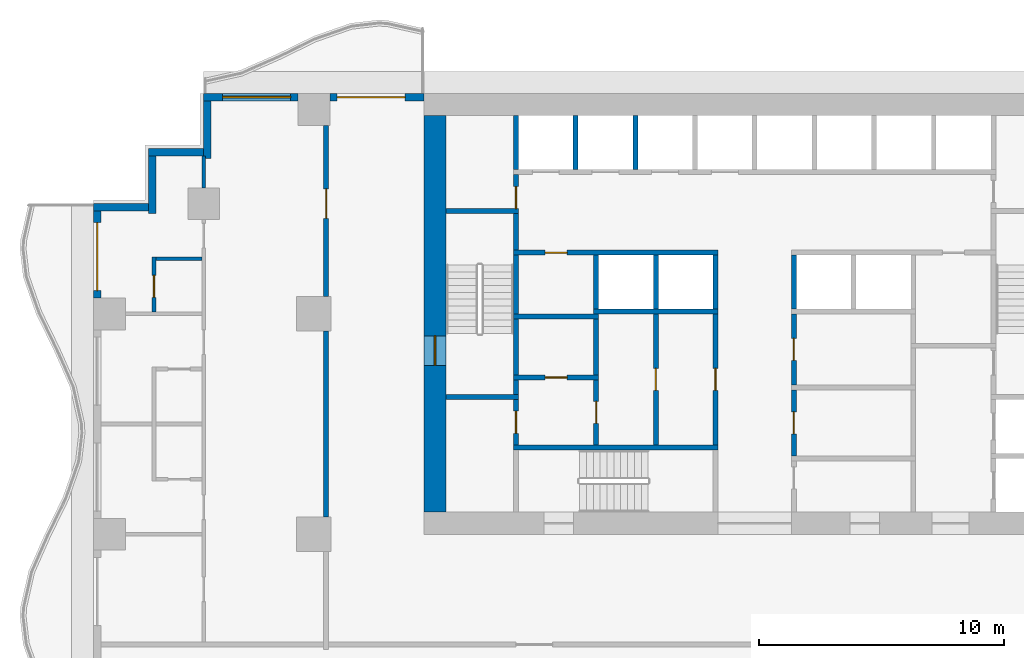
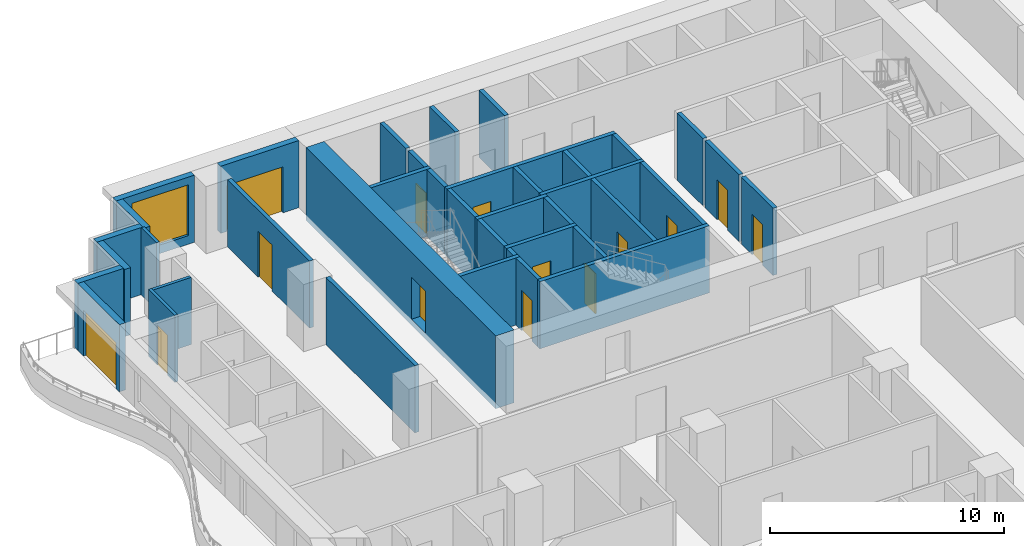
# One storey, part 5 of 14: 39 walls, 14 doors, 1 window, 15 openings.
"""IFC4 building model written with IfcOpenShell, lengths in metres."""

from ifc_helpers import new_model, si_unit, direction, frame, frame_2d, origin, place, context, subcontext, project, spatial, rectangle, extrude, material, layer, layer_set, type_object, element, fill, save


model = new_model("IFC4")

# Units and contexts
model_context = context("Model", 3, precision=1e-05, world=origin(), true_north=direction((0.0, 1.0)))
body_context = subcontext(model_context, "Body", "Model", "MODEL_VIEW")
ifc_project = project(units=[si_unit("LENGTHUNIT", "METRE"), si_unit("AREAUNIT", "SQUARE_METRE"), si_unit("VOLUMEUNIT", "CUBIC_METRE"), si_unit("PLANEANGLEUNIT", "RADIAN"), si_unit("MASSUNIT", "GRAM", prefix="KILO")], contexts=[model_context])

# Site, building, storey
site_placement = place(None, origin())
site = spatial("IfcSite", under=ifc_project, at=site_placement, CompositionType="ELEMENT")
building_placement = place(site_placement, origin())
building = spatial("IfcBuilding", under=site, at=building_placement, Name="Orbiselva Terraces", CompositionType="ELEMENT")
storey_placement = place(building_placement, frame((0.0, 0.0, 80.8)))
storey = spatial("IfcBuildingStorey", under=building, at=storey_placement, Name="L20", CompositionType="ELEMENT", Elevation=80.8)

# Wall, opening, door
ifc_material_1 = material(Name="Concrete C80/95", Category="concrete")
ifc_layer_1 = layer(ifc_material_1, 0.9)
ifc_layer_set_1 = layer_set([ifc_layer_1], Name="Concrete C80/95")
wall_type_1 = type_object("IfcWallType", Name="CORE WALL 900", PredefinedType="SHEAR", material=ifc_layer_set_1)
wall_1_placement = place(storey_placement, frame((-13.05, 21.6, -0.3), z_axis=(0.0, 0.0, 1.0), x_axis=(0.0, -1.0, 0.0)))
wall_1 = element("IfcWall", 1, at=wall_1_placement, inside=storey, type_object=wall_type_1, Name="Core wall L20 west", PredefinedType="SHEAR", context=body_context, shape_type="SweptSolid", body=[
    extrude(rectangle(XDim=16.2, YDim=0.9, at=frame_2d((8.1, 0.0))), origin(), (0.0, 0.0, 1.0), 3.8),
])
opening_1_placement = place(wall_1_placement, frame((9.0, 0.0, 0.3)))
opening_1 = element("IfcOpeningElement", 2, at=opening_1_placement, cuts=wall_1, Name="Opening DS1200", PredefinedType="OPENING", context=body_context, shape_type="SweptSolid", body=[
    extrude(rectangle(XDim=1.2, YDim=2.2, at=frame_2d((0.6, 1.1))), frame((0.0, 0.46, 0.0), z_axis=(0.0, -1.0, 0.0), x_axis=(1.0, 0.0, 0.0)), (0.0, 0.0, 1.0), 0.92),
])
ifc_material_2 = material(Name="Steel fire door", Category="steel")
door_type_1 = type_object("IfcDoorType", Name="STAIR DOOR 1200", OperationType="NOTDEFINED", PredefinedType="DOOR", material=ifc_material_2)
door_1_placement = place(opening_1_placement, frame((1.2, 0.0, 0.0), z_axis=(0.0, 0.0, 1.0), x_axis=(-1.0, 0.0, 0.0)))
door_1 = element("IfcDoor", 3, at=door_1_placement, inside=storey, type_object=door_type_1, Name="L20 EXIT STAIR S1 door", OperationType="SINGLE_SWING_RIGHT", OverallHeight=2.2, OverallWidth=1.2, PredefinedType="DOOR", context=body_context, shape_type="SweptSolid", body=[
    extrude(rectangle(XDim=1.2, YDim=2.2, at=frame_2d((0.6, 1.1))), frame((0.0, 0.025, 0.0), z_axis=(0.0, -1.0, 0.0), x_axis=(1.0, 0.0, 0.0)), (0.0, 0.0, 1.0), 0.05),
])
fill(opening_1, door_1)

ifc_material_3 = material(Name="Masonry blockwork", Category="masonry")
ifc_layer_2 = layer(ifc_material_3, 0.2)
ifc_layer_set_2 = layer_set([ifc_layer_2], Name="Masonry blockwork")
wall_type_2 = type_object("IfcWallType", Name="CORE-WALL-PARTITION-200", PredefinedType="PARTITIONING", material=ifc_layer_set_2)
wall_2_placement = place(storey_placement, frame((-9.75, 8.15, 0.0), z_axis=(0.0, 0.0, 1.0), x_axis=(0.0, 1.0, 0.0)))
wall_2 = element("IfcWall", 4, at=wall_2_placement, inside=storey, type_object=wall_type_2, Name="L20 core wall 05", PredefinedType="PARTITIONING", context=body_context, shape_type="SweptSolid", body=[
    extrude(rectangle(XDim=1.85, YDim=0.2, at=frame_2d((0.925, 0.0))), origin(), (0.0, 0.0, 1.0), 3.5),
])
opening_2_placement = place(wall_2_placement, frame((0.475, 0.0, 0.0)))
opening_2 = element("IfcOpeningElement", 5, at=opening_2_placement, cuts=wall_2, Name="Opening DR900", PredefinedType="OPENING", context=body_context, shape_type="SweptSolid", body=[
    extrude(rectangle(XDim=0.9, YDim=2.1, at=frame_2d((0.45, 1.05))), frame((0.0, 0.11, 0.0), z_axis=(0.0, -1.0, 0.0), x_axis=(1.0, 0.0, 0.0)), (0.0, 0.0, 1.0), 0.22),
])
door_type_2 = type_object("IfcDoorType", Name="ROOM DOOR 900", OperationType="NOTDEFINED", PredefinedType="DOOR", material=ifc_material_2)
door_2_placement = place(opening_2_placement, origin())
door_2 = element("IfcDoor", 6, at=door_2_placement, inside=storey, type_object=door_type_2, Name="L20 STAFF WC door", OperationType="SINGLE_SWING_RIGHT", OverallHeight=2.1, OverallWidth=0.9, PredefinedType="DOOR", context=body_context, shape_type="SweptSolid", body=[
    extrude(rectangle(XDim=0.9, YDim=2.1, at=frame_2d((0.45, 1.05))), frame((0.0, 0.025, 0.0), z_axis=(0.0, -1.0, 0.0), x_axis=(1.0, 0.0, 0.0)), (0.0, 0.0, 1.0), 0.05),
])
fill(opening_2, door_2)

wall_3_placement = place(storey_placement, frame((-9.75, 17.8, 0.0), z_axis=(0.0, 0.0, 1.0), x_axis=(0.0, 1.0, 0.0)))
wall_3 = element("IfcWall", 7, at=wall_3_placement, inside=storey, type_object=wall_type_2, Name="L20 core wall 13", PredefinedType="PARTITIONING", context=body_context, shape_type="SweptSolid", body=[
    extrude(rectangle(XDim=1.4, YDim=0.2, at=frame_2d((0.7, 0.0))), origin(), (0.0, 0.0, 1.0), 3.5),
])
opening_3_placement = place(wall_3_placement, origin())
opening_3 = element("IfcOpeningElement", 8, at=opening_3_placement, cuts=wall_3, Name="Opening DR900", PredefinedType="OPENING", context=body_context, shape_type="SweptSolid", body=[
    extrude(rectangle(XDim=0.9, YDim=2.1, at=frame_2d((0.45, 1.05))), frame((0.0, 0.11, 0.0), z_axis=(0.0, -1.0, 0.0), x_axis=(1.0, 0.0, 0.0)), (0.0, 0.0, 1.0), 0.22),
])
door_3_placement = place(opening_3_placement, origin())
door_3 = element("IfcDoor", 9, at=door_3_placement, inside=storey, type_object=door_type_2, Name="L20 ELECTRICAL RISER ROOM door", OperationType="SINGLE_SWING_LEFT", OverallHeight=2.1, OverallWidth=0.9, PredefinedType="DOOR", context=body_context, shape_type="SweptSolid", body=[
    extrude(rectangle(XDim=0.9, YDim=2.1, at=frame_2d((0.45, 1.05))), frame((0.0, 0.025, 0.0), z_axis=(0.0, -1.0, 0.0), x_axis=(1.0, 0.0, 0.0)), (0.0, 0.0, 1.0), 0.05),
])
fill(opening_3, door_3)

wall_4_placement = place(storey_placement, frame((-6.475, 8.15, 0.0), z_axis=(0.0, 0.0, 1.0), x_axis=(0.0, 1.0, 0.0)))
wall_4 = element("IfcWall", 10, at=wall_4_placement, inside=storey, type_object=wall_type_2, Name="L20 core wall 17", PredefinedType="PARTITIONING", context=body_context, shape_type="SweptSolid", body=[
    extrude(rectangle(XDim=2.65, YDim=0.2, at=frame_2d((1.325, 0.0))), origin(), (0.0, 0.0, 1.0), 3.5),
])
opening_4_placement = place(wall_4_placement, frame((0.875, 0.0, 0.0)))
opening_4 = element("IfcOpeningElement", 11, at=opening_4_placement, cuts=wall_4, Name="Opening DR900", PredefinedType="OPENING", context=body_context, shape_type="SweptSolid", body=[
    extrude(rectangle(XDim=0.9, YDim=2.1, at=frame_2d((0.45, 1.05))), frame((0.0, 0.11, 0.0), z_axis=(0.0, -1.0, 0.0), x_axis=(1.0, 0.0, 0.0)), (0.0, 0.0, 1.0), 0.22),
])
door_4_placement = place(opening_4_placement, origin())
door_4 = element("IfcDoor", 12, at=door_4_placement, inside=storey, type_object=door_type_2, Name="L20 UNIFORM STORE door", OperationType="SINGLE_SWING_LEFT", OverallHeight=2.1, OverallWidth=0.9, PredefinedType="DOOR", context=body_context, shape_type="SweptSolid", body=[
    extrude(rectangle(XDim=0.9, YDim=2.1, at=frame_2d((0.45, 1.05))), frame((0.0, 0.025, 0.0), z_axis=(0.0, -1.0, 0.0), x_axis=(1.0, 0.0, 0.0)), (0.0, 0.0, 1.0), 0.05),
])
fill(opening_4, door_4)

# Wall
wall_5_placement = place(storey_placement, frame((-6.475, 11.0, 0.0), z_axis=(0.0, 0.0, 1.0), x_axis=(0.0, 1.0, 0.0)))
element("IfcWall", 13, at=wall_5_placement, inside=storey, type_object=wall_type_2, Name="L20 core wall 18", PredefinedType="PARTITIONING", context=body_context, shape_type="SweptSolid", body=[
    extrude(rectangle(XDim=2.3, YDim=0.2, at=frame_2d((1.15, 0.0))), origin(), (0.0, 0.0, 1.0), 3.5),
])

# Wall, opening, door
wall_6_placement = place(storey_placement, frame((-4.0375, 8.15, 0.0), z_axis=(0.0, 0.0, 1.0), x_axis=(0.0, 1.0, 0.0)))
wall_6 = element("IfcWall", 14, at=wall_6_placement, inside=storey, type_object=wall_type_2, Name="L20 core wall 22", PredefinedType="PARTITIONING", context=body_context, shape_type="SweptSolid", body=[
    extrude(rectangle(XDim=5.35, YDim=0.2, at=frame_2d((2.675, 0.0))), origin(), (0.0, 0.0, 1.0), 3.5),
])
opening_5_placement = place(wall_6_placement, frame((2.225, 0.0, 0.0)))
opening_5 = element("IfcOpeningElement", 15, at=opening_5_placement, cuts=wall_6, Name="Opening DR900", PredefinedType="OPENING", context=body_context, shape_type="SweptSolid", body=[
    extrude(rectangle(XDim=0.9, YDim=2.1, at=frame_2d((0.45, 1.05))), frame((0.0, 0.11, 0.0), z_axis=(0.0, -1.0, 0.0), x_axis=(1.0, 0.0, 0.0)), (0.0, 0.0, 1.0), 0.22),
])
door_5_placement = place(opening_5_placement, origin())
door_5 = element("IfcDoor", 16, at=door_5_placement, inside=storey, type_object=door_type_2, Name="L20 BUILDING STORE door", OperationType="SINGLE_SWING_RIGHT", OverallHeight=2.1, OverallWidth=0.9, PredefinedType="DOOR", context=body_context, shape_type="SweptSolid", body=[
    extrude(rectangle(XDim=0.9, YDim=2.1, at=frame_2d((0.45, 1.05))), frame((0.0, 0.025, 0.0), z_axis=(0.0, -1.0, 0.0), x_axis=(1.0, 0.0, 0.0)), (0.0, 0.0, 1.0), 0.05),
])
fill(opening_5, door_5)

wall_7_placement = place(storey_placement, frame((1.6, 10.4, 0.0), z_axis=(0.0, 0.0, 1.0), x_axis=(0.0, -1.0, 0.0)))
wall_7 = element("IfcWall", 17, at=wall_7_placement, inside=storey, type_object=wall_type_2, Name="L20 core wall 31", PredefinedType="PARTITIONING", context=body_context, shape_type="SweptSolid", body=[
    extrude(rectangle(XDim=2.7, YDim=0.2, at=frame_2d((1.35, 0.0))), origin(), (0.0, 0.0, 1.0), 3.5),
])
opening_6_placement = place(wall_7_placement, frame((0.9, 0.0, 0.0)))
opening_6 = element("IfcOpeningElement", 18, at=opening_6_placement, cuts=wall_7, Name="Opening DR900", PredefinedType="OPENING", context=body_context, shape_type="SweptSolid", body=[
    extrude(rectangle(XDim=0.9, YDim=2.1, at=frame_2d((0.45, 1.05))), frame((0.0, 0.11, 0.0), z_axis=(0.0, -1.0, 0.0), x_axis=(1.0, 0.0, 0.0)), (0.0, 0.0, 1.0), 0.22),
])
door_6_placement = place(opening_6_placement, origin())
door_6 = element("IfcDoor", 19, at=door_6_placement, inside=storey, type_object=door_type_2, Name="L20 SERVICE PANTRY door", OperationType="SINGLE_SWING_LEFT", OverallHeight=2.1, OverallWidth=0.9, PredefinedType="DOOR", context=body_context, shape_type="SweptSolid", body=[
    extrude(rectangle(XDim=0.9, YDim=2.1, at=frame_2d((0.45, 1.05))), frame((0.0, 0.025, 0.0), z_axis=(0.0, -1.0, 0.0), x_axis=(1.0, 0.0, 0.0)), (0.0, 0.0, 1.0), 0.05),
])
fill(opening_6, door_6)

wall_8_placement = place(storey_placement, frame((1.6, 13.5, 0.0), z_axis=(0.0, 0.0, 1.0), x_axis=(0.0, -1.0, 0.0)))
wall_8 = element("IfcWall", 20, at=wall_8_placement, inside=storey, type_object=wall_type_2, Name="L20 core wall 33", PredefinedType="PARTITIONING", context=body_context, shape_type="SweptSolid", body=[
    extrude(rectangle(XDim=2.9, YDim=0.2, at=frame_2d((1.45, 0.0))), origin(), (0.0, 0.0, 1.0), 3.5),
])
opening_7_placement = place(wall_8_placement, frame((1.0, 0.0, 0.0)))
opening_7 = element("IfcOpeningElement", 21, at=opening_7_placement, cuts=wall_8, Name="Opening DR900", PredefinedType="OPENING", context=body_context, shape_type="SweptSolid", body=[
    extrude(rectangle(XDim=0.9, YDim=2.1, at=frame_2d((0.45, 1.05))), frame((0.0, 0.11, 0.0), z_axis=(0.0, -1.0, 0.0), x_axis=(1.0, 0.0, 0.0)), (0.0, 0.0, 1.0), 0.22),
])
door_7_placement = place(opening_7_placement, origin())
door_7 = element("IfcDoor", 22, at=door_7_placement, inside=storey, type_object=door_type_2, Name="L20 STAFF WC door", OperationType="SINGLE_SWING_LEFT", OverallHeight=2.1, OverallWidth=0.9, PredefinedType="DOOR", context=body_context, shape_type="SweptSolid", body=[
    extrude(rectangle(XDim=0.9, YDim=2.1, at=frame_2d((0.45, 1.05))), frame((0.0, 0.025, 0.0), z_axis=(0.0, -1.0, 0.0), x_axis=(1.0, 0.0, 0.0)), (0.0, 0.0, 1.0), 0.05),
])
fill(opening_7, door_7)

# Walls
ifc_material_4 = material(Name="Concrete C40/50", Category="concrete")
ifc_layer_3 = layer(ifc_material_4, 0.2)
ifc_layer_set_3 = layer_set([ifc_layer_3], Name="Concrete C40/50")
wall_type_3 = type_object("IfcWallType", Name="CORE-WALL-SHAFT-200", PredefinedType="PARTITIONING", material=ifc_layer_set_3)
for number, where, z_axis, x_axis, name in (
    (23, (-9.75, 19.4, 0.0), (0.0, 0.0, 1.0), (0.0, 1.0, 0.0), "L20 core wall 15"),
    (24, (-7.3125, 19.4, 0.0), (0.0, 0.0, 1.0), (0.0, 1.0, 0.0), "L20 core wall 16"),
    (25, (-6.475, 13.7, 0.0), (0.0, 0.0, 1.0), (0.0, 1.0, 0.0), "L20 core wall 20"),
    (26, (-4.875, 19.4, 0.0), (0.0, 0.0, 1.0), (0.0, 1.0, 0.0), "L20 core wall 21"),
    (27, (-4.0375, 13.7, 0.0), (0.0, 0.0, 1.0), (0.0, 1.0, 0.0), "L20 core wall 23"),
    (28, (-1.6, 13.7, 0.0), (0.0, 0.0, 1.0), (0.0, 1.0, 0.0), "L20 core wall 27"),
    (29, (1.6, 13.7, 0.0), (0.0, 0.0, 1.0), (0.0, 1.0, 0.0), "L20 core wall 35"),
):
    element("IfcWall", number, at=place(storey_placement, frame(where, z_axis=z_axis, x_axis=x_axis)), inside=storey, type_object=wall_type_3, Name=name, PredefinedType="PARTITIONING", context=body_context, shape_type="SweptSolid", body=[
        extrude(rectangle(XDim=2.2, YDim=0.2, at=frame_2d((1.1, 0.0))), origin(), (0.0, 0.0, 1.0), 3.5),
    ])
ifc_material_5 = material(Name="Concrete C60/75", Category="concrete")
ifc_layer_4 = layer(ifc_material_5, 0.2)
ifc_layer_set_4 = layer_set([ifc_layer_4], Name="Concrete C60/75")
wall_type_4 = type_object("IfcWallType", Name="CORE-WALL-SHEAR-200", PredefinedType="SHEAR", material=ifc_layer_set_4)
for number, where, z_axis, x_axis, name in (
    (30, (-12.6, 10.1, 0.0), (0.0, 0.0, 1.0), (1.0, 0.0, 0.0), "L20 core wall 01"),
    (31, (-12.6, 17.7, 0.0), (0.0, 0.0, 1.0), (1.0, 0.0, 0.0), "L20 core wall 02"),
):
    element("IfcWall", number, at=place(storey_placement, frame(where, z_axis=z_axis, x_axis=x_axis)), inside=storey, type_object=wall_type_4, Name=name, PredefinedType="SHEAR", context=body_context, shape_type="SweptSolid", body=[
        extrude(rectangle(XDim=2.95, YDim=0.2, at=frame_2d((1.475, 0.0))), origin(), (0.0, 0.0, 1.0), 3.5),
    ])
wall_9_placement = place(storey_placement, frame((-9.85, 8.05, 0.0), z_axis=(0.0, 0.0, 1.0), x_axis=(1.0, 0.0, 0.0)))
element("IfcWall", 32, at=wall_9_placement, inside=storey, type_object=wall_type_4, Name="L20 core wall 04", PredefinedType="SHEAR", context=body_context, shape_type="SweptSolid", body=[
    extrude(rectangle(XDim=8.35, YDim=0.2, at=frame_2d((4.175, 0.0))), origin(), (0.0, 0.0, 1.0), 3.5),
])
wall_10_placement = place(storey_placement, frame((-9.75, 10.2, 0.0), z_axis=(0.0, 0.0, 1.0), x_axis=(0.0, 1.0, 0.0)))
element("IfcWall", 33, at=wall_10_placement, inside=storey, type_object=wall_type_4, Name="L20 core wall 06", PredefinedType="SHEAR", context=body_context, shape_type="SweptSolid", body=[
    extrude(rectangle(XDim=0.6, YDim=0.2, at=frame_2d((0.3, 0.0))), origin(), (0.0, 0.0, 1.0), 3.5),
])

# Wall, opening, door
wall_11_placement = place(storey_placement, frame((-9.85, 10.9, 0.0), z_axis=(0.0, 0.0, 1.0), x_axis=(1.0, 0.0, 0.0)))
wall_11 = element("IfcWall", 34, at=wall_11_placement, inside=storey, type_object=wall_type_4, Name="L20 core wall 07", PredefinedType="SHEAR", context=body_context, shape_type="SweptSolid", body=[
    extrude(rectangle(XDim=3.475, YDim=0.2, at=frame_2d((1.7375, 0.0))), origin(), (0.0, 0.0, 1.0), 3.5),
])
opening_8_placement = place(wall_11_placement, frame((1.2875, 0.0, 0.0)))
opening_8 = element("IfcOpeningElement", 35, at=opening_8_placement, cuts=wall_11, Name="Opening DR900", PredefinedType="OPENING", context=body_context, shape_type="SweptSolid", body=[
    extrude(rectangle(XDim=0.9, YDim=2.1, at=frame_2d((0.45, 1.05))), frame((0.0, 0.11, 0.0), z_axis=(0.0, -1.0, 0.0), x_axis=(1.0, 0.0, 0.0)), (0.0, 0.0, 1.0), 0.22),
])
door_8_placement = place(opening_8_placement, origin())
door_8 = element("IfcDoor", 36, at=door_8_placement, inside=storey, type_object=door_type_2, Name="L20 LAUNDRY ROOM door", OperationType="SINGLE_SWING_RIGHT", OverallHeight=2.1, OverallWidth=0.9, PredefinedType="DOOR", context=body_context, shape_type="SweptSolid", body=[
    extrude(rectangle(XDim=0.9, YDim=2.1, at=frame_2d((0.45, 1.05))), frame((0.0, 0.025, 0.0), z_axis=(0.0, -1.0, 0.0), x_axis=(1.0, 0.0, 0.0)), (0.0, 0.0, 1.0), 0.05),
])
fill(opening_8, door_8)

# Walls
wall_12_placement = place(storey_placement, frame((-9.75, 11.0, 0.0), z_axis=(0.0, 0.0, 1.0), x_axis=(0.0, 1.0, 0.0)))
element("IfcWall", 37, at=wall_12_placement, inside=storey, type_object=wall_type_4, Name="L20 core wall 08", PredefinedType="SHEAR", context=body_context, shape_type="SweptSolid", body=[
    extrude(rectangle(XDim=2.3, YDim=0.2, at=frame_2d((1.15, 0.0))), origin(), (0.0, 0.0, 1.0), 3.5),
])
wall_13_placement = place(storey_placement, frame((-9.85, 13.4, 0.0), z_axis=(0.0, 0.0, 1.0), x_axis=(1.0, 0.0, 0.0)))
element("IfcWall", 38, at=wall_13_placement, inside=storey, type_object=wall_type_4, Name="L20 core wall 09", PredefinedType="SHEAR", context=body_context, shape_type="SweptSolid", body=[
    extrude(rectangle(XDim=3.475, YDim=0.2, at=frame_2d((1.7375, 0.0))), origin(), (0.0, 0.0, 1.0), 3.5),
])
wall_14_placement = place(storey_placement, frame((-9.75, 13.5, 0.0), z_axis=(0.0, 0.0, 1.0), x_axis=(0.0, 1.0, 0.0)))
element("IfcWall", 39, at=wall_14_placement, inside=storey, type_object=wall_type_4, Name="L20 core wall 10", PredefinedType="SHEAR", context=body_context, shape_type="SweptSolid", body=[
    extrude(rectangle(XDim=2.4, YDim=0.2, at=frame_2d((1.2, 0.0))), origin(), (0.0, 0.0, 1.0), 3.5),
])

# Wall, opening, door
wall_15_placement = place(storey_placement, frame((-1.5, 16.0, 0.0), z_axis=(0.0, 0.0, 1.0), x_axis=(-1.0, 0.0, 0.0)))
wall_15 = element("IfcWall", 40, at=wall_15_placement, inside=storey, type_object=wall_type_4, Name="L20 core wall 11", PredefinedType="SHEAR", context=body_context, shape_type="SweptSolid", body=[
    extrude(rectangle(XDim=8.35, YDim=0.2, at=frame_2d((4.175, 0.0))), origin(), (0.0, 0.0, 1.0), 3.5),
])
opening_9_placement = place(wall_15_placement, frame((6.1625, 0.0, 0.0)))
opening_9 = element("IfcOpeningElement", 41, at=opening_9_placement, cuts=wall_15, Name="Opening DR900", PredefinedType="OPENING", context=body_context, shape_type="SweptSolid", body=[
    extrude(rectangle(XDim=0.9, YDim=2.1, at=frame_2d((0.45, 1.05))), frame((0.0, 0.11, 0.0), z_axis=(0.0, -1.0, 0.0), x_axis=(1.0, 0.0, 0.0)), (0.0, 0.0, 1.0), 0.22),
])
door_9_placement = place(opening_9_placement, origin())
door_9 = element("IfcDoor", 42, at=door_9_placement, inside=storey, type_object=door_type_2, Name="L20 STAFF PANTRY door", OperationType="SINGLE_SWING_RIGHT", OverallHeight=2.1, OverallWidth=0.9, PredefinedType="DOOR", context=body_context, shape_type="SweptSolid", body=[
    extrude(rectangle(XDim=0.9, YDim=2.1, at=frame_2d((0.45, 1.05))), frame((0.0, 0.025, 0.0), z_axis=(0.0, -1.0, 0.0), x_axis=(1.0, 0.0, 0.0)), (0.0, 0.0, 1.0), 0.05),
])
fill(opening_9, door_9)

# Walls
wall_16_placement = place(storey_placement, frame((-9.75, 16.1, 0.0), z_axis=(0.0, 0.0, 1.0), x_axis=(0.0, 1.0, 0.0)))
element("IfcWall", 43, at=wall_16_placement, inside=storey, type_object=wall_type_4, Name="L20 core wall 12", PredefinedType="SHEAR", context=body_context, shape_type="SweptSolid", body=[
    extrude(rectangle(XDim=1.5, YDim=0.2, at=frame_2d((0.75, 0.0))), origin(), (0.0, 0.0, 1.0), 3.5),
])
wall_17_placement = place(storey_placement, frame((-6.575, 13.6, 0.0), z_axis=(0.0, 0.0, 1.0), x_axis=(1.0, 0.0, 0.0)))
element("IfcWall", 44, at=wall_17_placement, inside=storey, type_object=wall_type_4, Name="L20 core wall 19", PredefinedType="SHEAR", context=body_context, shape_type="SweptSolid", body=[
    extrude(rectangle(XDim=5.075, YDim=0.2, at=frame_2d((2.5375, 0.0))), origin(), (0.0, 0.0, 1.0), 3.5),
])

# Wall, opening, door
wall_18_placement = place(storey_placement, frame((-1.6, 8.15, 0.0), z_axis=(0.0, 0.0, 1.0), x_axis=(0.0, 1.0, 0.0)))
wall_18 = element("IfcWall", 45, at=wall_18_placement, inside=storey, type_object=wall_type_4, Name="L20 core wall 26", PredefinedType="SHEAR", context=body_context, shape_type="SweptSolid", body=[
    extrude(rectangle(XDim=5.35, YDim=0.2, at=frame_2d((2.675, 0.0))), origin(), (0.0, 0.0, 1.0), 3.5),
])
opening_10_placement = place(wall_18_placement, frame((2.225, 0.0, 0.0)))
opening_10 = element("IfcOpeningElement", 46, at=opening_10_placement, cuts=wall_18, Name="Opening DR900", PredefinedType="OPENING", context=body_context, shape_type="SweptSolid", body=[
    extrude(rectangle(XDim=0.9, YDim=2.1, at=frame_2d((0.45, 1.05))), frame((0.0, 0.11, 0.0), z_axis=(0.0, -1.0, 0.0), x_axis=(1.0, 0.0, 0.0)), (0.0, 0.0, 1.0), 0.22),
])
door_10_placement = place(opening_10_placement, origin())
door_10 = element("IfcDoor", 47, at=door_10_placement, inside=storey, type_object=door_type_2, Name="L20 GUEST PANTRY door", OperationType="SINGLE_SWING_RIGHT", OverallHeight=2.1, OverallWidth=0.9, PredefinedType="DOOR", context=body_context, shape_type="SweptSolid", body=[
    extrude(rectangle(XDim=0.9, YDim=2.1, at=frame_2d((0.45, 1.05))), frame((0.0, 0.025, 0.0), z_axis=(0.0, -1.0, 0.0), x_axis=(1.0, 0.0, 0.0)), (0.0, 0.0, 1.0), 0.05),
])
fill(opening_10, door_10)

ifc_material_6 = material(Name="Terracotta cladding on masonry backing", Category="masonry")
ifc_layer_5 = layer(ifc_material_6, 0.3)
ifc_layer_set_5 = layer_set([ifc_layer_5], Name="Terracotta cladding on masonry backing")
wall_type_5 = type_object("IfcWallType", Name="ENV-WALL-TERRACOTTA-300", PredefinedType="SOLIDWALL", material=ifc_layer_set_5)
wall_19_placement = place(storey_placement, frame((-17.35, 22.35, 0.0), z_axis=(0.0, 0.0, 1.0), x_axis=(1.0, 0.0, 0.0)))
wall_19 = element("IfcWall", 48, at=wall_19_placement, inside=storey, type_object=wall_type_5, Name="Facade wall L20 NW", PredefinedType="SOLIDWALL", context=body_context, shape_type="SweptSolid", body=[
    extrude(rectangle(XDim=3.85, YDim=0.3, at=frame_2d((1.925, 0.0))), origin(), (0.0, 0.0, 1.0), 3.5),
])
opening_11_placement = place(wall_19_placement, frame((0.3, 0.0, 0.0)))
opening_11 = element("IfcOpeningElement", 49, at=opening_11_placement, cuts=wall_19, Name="Opening Z2-B-E10", PredefinedType="OPENING", context=body_context, shape_type="SweptSolid", body=[
    extrude(rectangle(XDim=2.775, YDim=2.4, at=frame_2d((1.3875, 1.2))), frame((0.0, 0.16, 0.0), z_axis=(0.0, -1.0, 0.0), x_axis=(1.0, 0.0, 0.0)), (0.0, 0.0, 1.0), 0.32),
])
ifc_material_7 = material(Name="Clear low-e glazing in aluminium frame", Category="aluminium")
door_type_3 = type_object("IfcDoorType", Name="BALCONY DOOR 2775 X 2400", OperationType="DOUBLE_DOOR_SLIDING", PredefinedType="DOOR", material=ifc_material_7)
door_11_placement = place(opening_11_placement, origin())
door_11 = element("IfcDoor", 50, at=door_11_placement, inside=storey, type_object=door_type_3, Name="Z2-B-E10", OperationType="SINGLE_SWING_LEFT", OverallHeight=2.4, OverallWidth=2.775, PredefinedType="DOOR", context=body_context, shape_type="SweptSolid", body=[
    extrude(rectangle(XDim=2.775, YDim=2.4, at=frame_2d((1.3875, 1.2))), frame((0.0, 0.025, 0.0), z_axis=(0.0, -1.0, 0.0), x_axis=(1.0, 0.0, 0.0)), (0.0, 0.0, 1.0), 0.05),
])
fill(opening_11, door_11)

# Wall, opening, window
wall_20_placement = place(storey_placement, frame((-22.5, 22.35, 0.0), z_axis=(0.0, 0.0, 1.0), x_axis=(1.0, 0.0, 0.0)))
wall_20 = element("IfcWall", 51, at=wall_20_placement, inside=storey, type_object=wall_type_5, Name="Facade wall L20 NW", PredefinedType="SOLIDWALL", context=body_context, shape_type="SweptSolid", body=[
    extrude(rectangle(XDim=3.85, YDim=0.3, at=frame_2d((1.925, 0.0))), origin(), (0.0, 0.0, 1.0), 3.5),
])
opening_12_placement = place(wall_20_placement, frame((0.775, 0.0, 0.45)))
opening_12 = element("IfcOpeningElement", 52, at=opening_12_placement, cuts=wall_20, Name="Opening WN6", PredefinedType="OPENING", context=body_context, shape_type="SweptSolid", body=[
    extrude(rectangle(XDim=2.775, YDim=2.65, at=frame_2d((1.3875, 1.325))), frame((0.0, 0.16, 0.0), z_axis=(0.0, -1.0, 0.0), x_axis=(1.0, 0.0, 0.0)), (0.0, 0.0, 1.0), 0.32),
])
window_type = type_object("IfcWindowType", Name="WINDOW 2775 X 2650 S450", PartitioningType="TRIPLE_PANEL_VERTICAL", PredefinedType="WINDOW", material=ifc_material_7)
window_placement = place(opening_12_placement, origin())
window = element("IfcWindow", 53, at=window_placement, inside=storey, type_object=window_type, Name="Window L20 NW", OverallHeight=2.65, OverallWidth=2.775, PartitioningType="SINGLE_PANEL", PredefinedType="WINDOW", context=body_context, shape_type="SweptSolid", body=[
    extrude(rectangle(XDim=2.775, YDim=2.65, at=frame_2d((1.3875, 1.325))), frame((0.0, 0.03, 0.0), z_axis=(0.0, -1.0, 0.0), x_axis=(1.0, 0.0, 0.0)), (0.0, 0.0, 1.0), 0.06),
])
fill(opening_12, window)

# Walls
wall_21_placement = place(storey_placement, frame((-22.35, 19.85, 0.0), z_axis=(0.0, 0.0, 1.0), x_axis=(0.0, 1.0, 0.0)))
element("IfcWall", 54, at=wall_21_placement, inside=storey, type_object=wall_type_5, Name="Facade wall L20 STEP", PredefinedType="SOLIDWALL", context=body_context, shape_type="SweptSolid", body=[
    extrude(rectangle(XDim=2.35, YDim=0.3, at=frame_2d((1.175, 0.0))), origin(), (0.0, 0.0, 1.0), 3.5),
])
wall_22_placement = place(storey_placement, frame((-24.75, 20.1, 0.0), z_axis=(0.0, 0.0, 1.0), x_axis=(1.0, 0.0, 0.0)))
element("IfcWall", 55, at=wall_22_placement, inside=storey, type_object=wall_type_5, Name="Facade wall L20 STEP", PredefinedType="SOLIDWALL", context=body_context, shape_type="SweptSolid", body=[
    extrude(rectangle(XDim=2.25, YDim=0.3, at=frame_2d((1.125, 0.0))), origin(), (0.0, 0.0, 1.0), 3.5),
])
wall_23_placement = place(storey_placement, frame((-24.6, 17.6, 0.0), z_axis=(0.0, 0.0, 1.0), x_axis=(0.0, 1.0, 0.0)))
element("IfcWall", 56, at=wall_23_placement, inside=storey, type_object=wall_type_5, Name="Facade wall L20 STEP", PredefinedType="SOLIDWALL", context=body_context, shape_type="SweptSolid", body=[
    extrude(rectangle(XDim=2.35, YDim=0.3, at=frame_2d((1.175, 0.0))), origin(), (0.0, 0.0, 1.0), 3.5),
])
wall_24_placement = place(storey_placement, frame((-27.0, 17.85, 0.0), z_axis=(0.0, 0.0, 1.0), x_axis=(1.0, 0.0, 0.0)))
element("IfcWall", 57, at=wall_24_placement, inside=storey, type_object=wall_type_5, Name="Facade wall L20 STEP", PredefinedType="SOLIDWALL", context=body_context, shape_type="SweptSolid", body=[
    extrude(rectangle(XDim=2.25, YDim=0.3, at=frame_2d((1.125, 0.0))), origin(), (0.0, 0.0, 1.0), 3.5),
])

# Wall, opening, door
wall_25_placement = place(storey_placement, frame((-26.85, 14.15, 0.0), z_axis=(0.0, 0.0, 1.0), x_axis=(0.0, 1.0, 0.0)))
wall_25 = element("IfcWall", 58, at=wall_25_placement, inside=storey, type_object=wall_type_5, Name="Facade wall L20 W", PredefinedType="SOLIDWALL", context=body_context, shape_type="SweptSolid", body=[
    extrude(rectangle(XDim=3.55, YDim=0.3, at=frame_2d((1.775, 0.0))), origin(), (0.0, 0.0, 1.0), 3.5),
])
opening_13_placement = place(wall_25_placement, frame((0.3, 0.0, 0.0)))
opening_13 = element("IfcOpeningElement", 59, at=opening_13_placement, cuts=wall_25, Name="Opening Z2-B-E11", PredefinedType="OPENING", context=body_context, shape_type="SweptSolid", body=[
    extrude(rectangle(XDim=2.775, YDim=2.4, at=frame_2d((1.3875, 1.2))), frame((0.0, 0.16, 0.0), z_axis=(0.0, -1.0, 0.0), x_axis=(1.0, 0.0, 0.0)), (0.0, 0.0, 1.0), 0.32),
])
door_12_placement = place(opening_13_placement, origin())
door_12 = element("IfcDoor", 60, at=door_12_placement, inside=storey, type_object=door_type_3, Name="Z2-B-E11", OperationType="SINGLE_SWING_LEFT", OverallHeight=2.4, OverallWidth=2.775, PredefinedType="DOOR", context=body_context, shape_type="SweptSolid", body=[
    extrude(rectangle(XDim=2.775, YDim=2.4, at=frame_2d((1.3875, 1.2))), frame((0.0, 0.025, 0.0), z_axis=(0.0, -1.0, 0.0), x_axis=(1.0, 0.0, 0.0)), (0.0, 0.0, 1.0), 0.05),
])
fill(opening_13, door_12)

# Wall
ifc_material_8 = material(Name="Plasterboard on steel stud partition", Category="steel")
ifc_layer_6 = layer(ifc_material_8, 0.2)
ifc_layer_set_6 = layer_set([ifc_layer_6], Name="Plasterboard on steel stud partition")
wall_type_6 = type_object("IfcWallType", Name="UNIT-ENTRANCE-WALL-200", PredefinedType="PARTITIONING", material=ifc_layer_set_6)
wall_26_placement = place(storey_placement, frame((-17.5, 5.2, 0.0), z_axis=(0.0, 0.0, 1.0), x_axis=(0.0, 1.0, 0.0)))
element("IfcWall", 61, at=wall_26_placement, inside=storey, type_object=wall_type_6, Name="PARTITION L20-053", PredefinedType="PARTITIONING", context=body_context, shape_type="SweptSolid", body=[
    extrude(rectangle(XDim=7.6, YDim=0.2, at=frame_2d((3.8, 0.0))), origin(), (0.0, 0.0, 1.0), 3.5),
])

# Wall, opening, door
wall_27_placement = place(storey_placement, frame((-17.5, 14.2, 0.0), z_axis=(0.0, 0.0, 1.0), x_axis=(0.0, 1.0, 0.0)))
wall_27 = element("IfcWall", 62, at=wall_27_placement, inside=storey, type_object=wall_type_6, Name="PARTITION L20-054", PredefinedType="PARTITIONING", context=body_context, shape_type="SweptSolid", body=[
    extrude(rectangle(XDim=7.0, YDim=0.2, at=frame_2d((3.5, 0.0))), origin(), (0.0, 0.0, 1.0), 3.5),
])
opening_14_placement = place(wall_27_placement, frame((3.2, 0.0, 0.0)))
opening_14 = element("IfcOpeningElement", 63, at=opening_14_placement, cuts=wall_27, Name="Opening Z2-B-01", PredefinedType="OPENING", context=body_context, shape_type="SweptSolid", body=[
    extrude(rectangle(XDim=1.2, YDim=2.4, at=frame_2d((0.6, 1.2))), frame((0.0, 0.11, 0.0), z_axis=(0.0, -1.0, 0.0), x_axis=(1.0, 0.0, 0.0)), (0.0, 0.0, 1.0), 0.22),
])
ifc_material_9 = material(Name="Painted timber door leaf", Category="wood")
door_type_4 = type_object("IfcDoorType", Name="ENTRANCE DOOR 1200", OperationType="NOTDEFINED", PredefinedType="DOOR", material=ifc_material_9)
door_13_placement = place(opening_14_placement, origin())
door_13 = element("IfcDoor", 64, at=door_13_placement, inside=storey, type_object=door_type_4, Name="Z2-B-01", OperationType="SINGLE_SWING_RIGHT", OverallHeight=2.4, OverallWidth=1.2, PredefinedType="DOOR", context=body_context, shape_type="SweptSolid", body=[
    extrude(rectangle(XDim=1.2, YDim=2.4, at=frame_2d((0.6, 1.2))), frame((0.0, 0.025, 0.0), z_axis=(0.0, -1.0, 0.0), x_axis=(1.0, 0.0, 0.0)), (0.0, 0.0, 1.0), 0.05),
])
fill(opening_14, door_13)

# Wall
ifc_layer_7 = layer(ifc_material_8, 0.15)
ifc_layer_set_7 = layer_set([ifc_layer_7], Name="Plasterboard on steel stud partition")
wall_type_7 = type_object("IfcWallType", Name="UNIT-PARTITION-150", PredefinedType="PARTITIONING", material=ifc_layer_set_7)
wall_28_placement = place(storey_placement, frame((-24.45, 15.75, 0.0), z_axis=(0.0, 0.0, 1.0), x_axis=(1.0, 0.0, 0.0)))
element("IfcWall", 65, at=wall_28_placement, inside=storey, type_object=wall_type_7, Name="PARTITION L20-040", PredefinedType="PARTITIONING", context=body_context, shape_type="SweptSolid", body=[
    extrude(rectangle(XDim=1.875, YDim=0.15, at=frame_2d((0.9375, 0.0))), origin(), (0.0, 0.0, 1.0), 3.5),
])

# Wall, opening, door
wall_29_placement = place(storey_placement, frame((-24.525, 15.825, 0.0), z_axis=(0.0, 0.0, 1.0), x_axis=(0.0, -1.0, 0.0)))
wall_29 = element("IfcWall", 66, at=wall_29_placement, inside=storey, type_object=wall_type_7, Name="PARTITION L20-043", PredefinedType="PARTITIONING", context=body_context, shape_type="SweptSolid", body=[
    extrude(rectangle(XDim=2.25, YDim=0.15, at=frame_2d((1.125, 0.0))), origin(), (0.0, 0.0, 1.0), 3.5),
])
opening_15_placement = place(wall_29_placement, frame((0.75, 0.0, 0.0)))
opening_15 = element("IfcOpeningElement", 67, at=opening_15_placement, cuts=wall_29, Name="Opening Z2-B-08", PredefinedType="OPENING", context=body_context, shape_type="SweptSolid", body=[
    extrude(rectangle(XDim=0.9, YDim=2.1, at=frame_2d((0.45, 1.05))), frame((0.0, 0.085, 0.0), z_axis=(0.0, -1.0, 0.0), x_axis=(1.0, 0.0, 0.0)), (0.0, 0.0, 1.0), 0.17),
])
door_type_5 = type_object("IfcDoorType", Name="BATH DOOR 900", OperationType="NOTDEFINED", PredefinedType="DOOR", material=ifc_material_9)
door_14_placement = place(opening_15_placement, origin())
door_14 = element("IfcDoor", 68, at=door_14_placement, inside=storey, type_object=door_type_5, Name="Z2-B-08", OperationType="SINGLE_SWING_RIGHT", OverallHeight=2.1, OverallWidth=0.9, PredefinedType="DOOR", context=body_context, shape_type="SweptSolid", body=[
    extrude(rectangle(XDim=0.9, YDim=2.1, at=frame_2d((0.45, 1.05))), frame((0.0, 0.025, 0.0), z_axis=(0.0, -1.0, 0.0), x_axis=(1.0, 0.0, 0.0)), (0.0, 0.0, 1.0), 0.05),
])
fill(opening_15, door_14)

# Wall
wall_30_placement = place(storey_placement, frame((-22.5, 18.65, 0.0), z_axis=(0.0, 0.0, 1.0), x_axis=(0.0, 1.0, 0.0)))
element("IfcWall", 69, at=wall_30_placement, inside=storey, type_object=wall_type_7, Name="PARTITION L20-048", PredefinedType="PARTITIONING", context=body_context, shape_type="SweptSolid", body=[
    extrude(rectangle(XDim=1.3, YDim=0.15, at=frame_2d((0.65, 0.0))), origin(), (0.0, 0.0, 1.0), 3.5),
])

save(model, "model.ifc")
